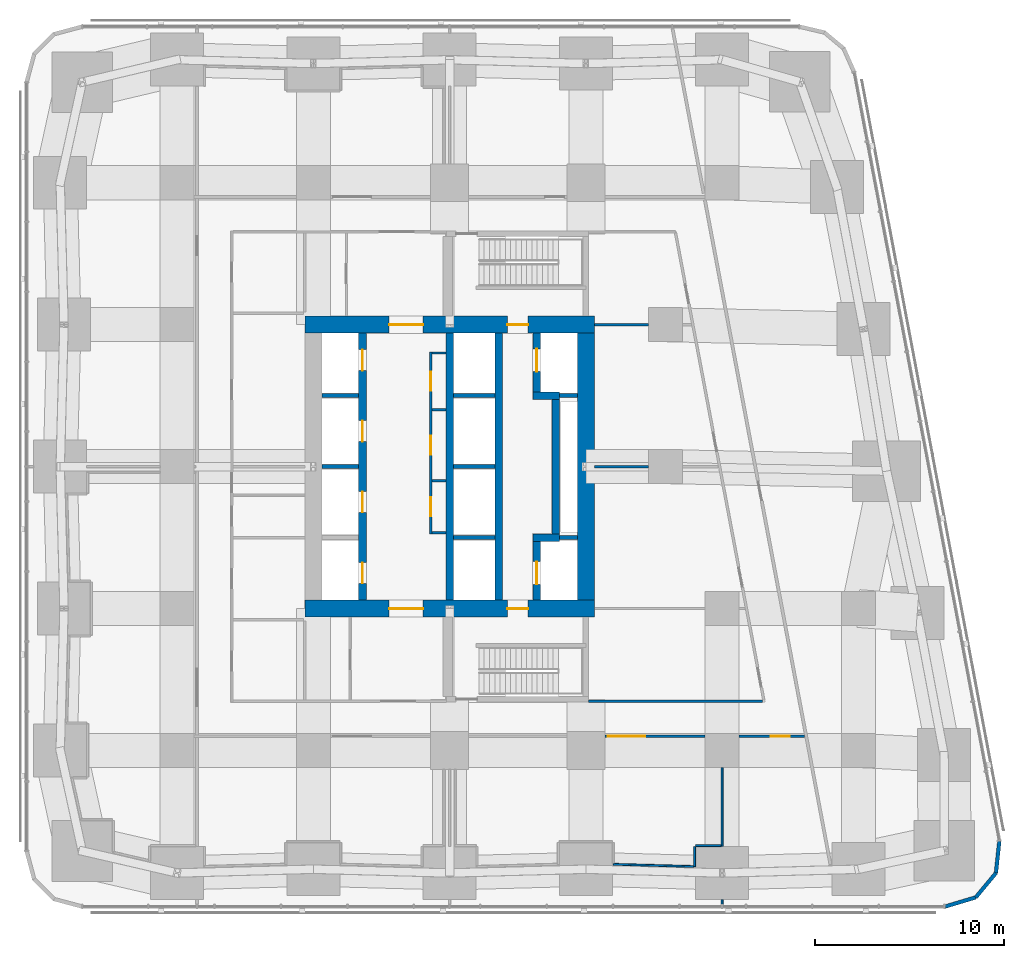
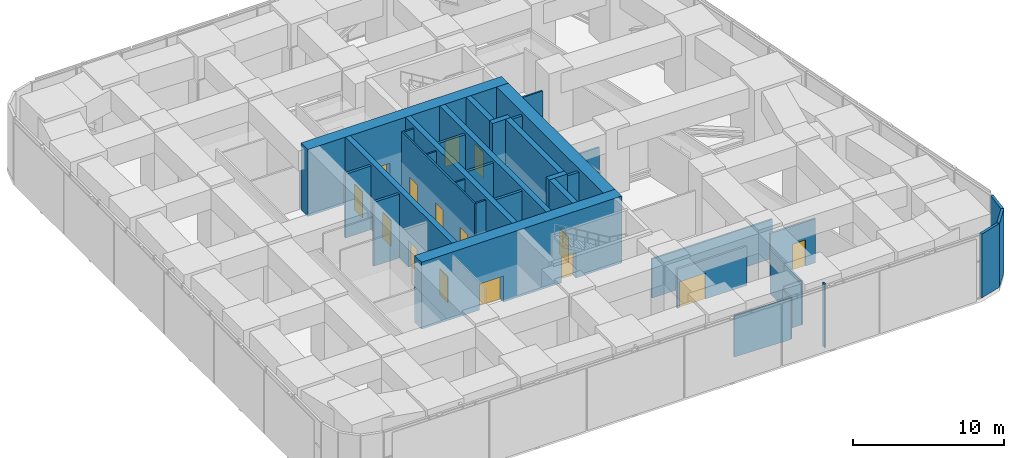
# One storey, part 15 of 20: 36 walls, 15 doors, 15 openings.
"""IFC4 building model written with IfcOpenShell, lengths in metres."""

from ifc_helpers import new_model, si_unit, direction, frame, frame_2d, origin, place, context, subcontext, project, spatial, rectangle, extrude, material, layer, layer_set, type_object, element, fill, save


model = new_model("IFC4")

# Units and contexts
model_context = context("Model", 3, precision=1e-05, world=origin(), true_north=direction((0.0, 1.0)))
body_context = subcontext(model_context, "Body", "Model", "MODEL_VIEW")
ifc_project = project(units=[si_unit("LENGTHUNIT", "METRE"), si_unit("AREAUNIT", "SQUARE_METRE"), si_unit("VOLUMEUNIT", "CUBIC_METRE"), si_unit("PLANEANGLEUNIT", "RADIAN"), si_unit("MASSUNIT", "GRAM", prefix="KILO")], contexts=[model_context])

# Site, building, storey
site_placement = place(None, origin())
site = spatial("IfcSite", under=ifc_project, at=site_placement, CompositionType="ELEMENT")
building_placement = place(site_placement, origin())
building = spatial("IfcBuilding", under=site, at=building_placement, Name="Sheger Commons Tower", CompositionType="ELEMENT")
storey_placement = place(building_placement, frame((0.0, 0.0, 72.5)))
storey = spatial("IfcBuildingStorey", under=building, at=storey_placement, Name="L18", CompositionType="ELEMENT", Elevation=72.5)

# Wall, openings, doors
ifc_material_1 = material(Name="Concrete C50/60", Category="concrete")
ifc_layer_1 = layer(ifc_material_1, 0.39990234375)
ifc_layer_set_1 = layer_set([ifc_layer_1], Name="CORE INNER WALL 400")
wall_type_1 = type_object("IfcWallType", Name="CORE INNER WALL 400", PredefinedType="SHEAR", material=ifc_layer_set_1)
wall_1_placement = place(storey_placement, frame((17.0, 15.449951171875, 0.0), z_axis=(0.0, 0.0, 1.0), x_axis=(0.0, 1.0, 0.0)))
wall_1 = element("IfcWall", 1, at=wall_1_placement, inside=storey, type_object=wall_type_1, Name="Core inner wall A L18", PredefinedType="SHEAR", context=body_context, shape_type="SweptSolid", body=[
    extrude(rectangle(XDim=14.10009765625, YDim=0.39990234375, at=frame_2d((7.050048828125, 0.0))), origin(), (0.0, 0.0, 1.0), 5.39990234375),
])
opening_1_placement = place(wall_1_placement, frame((0.875, 0.0, 0.0)))
opening_1 = element("IfcOpeningElement", 2, at=opening_1_placement, cuts=wall_1, Name="Opening LD", PredefinedType="OPENING", context=body_context, shape_type="SweptSolid", body=[
    extrude(rectangle(XDim=1.10009765625, YDim=2.10009765625, at=frame_2d((0.550048828125, 1.050048828125))), frame((0.0, 0.2099609375, 0.0), z_axis=(0.0, -1.0, 0.0), x_axis=(1.0, 0.0, 0.0)), (0.0, 0.0, 1.0), 0.419921875),
])
opening_2_placement = place(wall_1_placement, frame((4.625, 0.0, 0.0)))
opening_2 = element("IfcOpeningElement", 3, at=opening_2_placement, cuts=wall_1, Name="Opening LD", PredefinedType="OPENING", context=body_context, shape_type="SweptSolid", body=[
    extrude(rectangle(XDim=1.10009765625, YDim=2.10009765625, at=frame_2d((0.550048828125, 1.050048828125))), frame((0.0, 0.2099609375, 0.0), z_axis=(0.0, -1.0, 0.0), x_axis=(1.0, 0.0, 0.0)), (0.0, 0.0, 1.0), 0.419921875),
])
opening_3_placement = place(wall_1_placement, frame((8.375, 0.0, 0.0)))
opening_3 = element("IfcOpeningElement", 4, at=opening_3_placement, cuts=wall_1, Name="Opening LD", PredefinedType="OPENING", context=body_context, shape_type="SweptSolid", body=[
    extrude(rectangle(XDim=1.10009765625, YDim=2.10009765625, at=frame_2d((0.550048828125, 1.050048828125))), frame((0.0, 0.2099609375, 0.0), z_axis=(0.0, -1.0, 0.0), x_axis=(1.0, 0.0, 0.0)), (0.0, 0.0, 1.0), 0.419921875),
])
opening_4_placement = place(wall_1_placement, frame((12.125, 0.0, 0.0)))
opening_4 = element("IfcOpeningElement", 5, at=opening_4_placement, cuts=wall_1, Name="Opening LD", PredefinedType="OPENING", context=body_context, shape_type="SweptSolid", body=[
    extrude(rectangle(XDim=1.10009765625, YDim=2.10009765625, at=frame_2d((0.550048828125, 1.050048828125))), frame((0.0, 0.2099609375, 0.0), z_axis=(0.0, -1.0, 0.0), x_axis=(1.0, 0.0, 0.0)), (0.0, 0.0, 1.0), 0.419921875),
])
ifc_material_2 = material(Name="Steel door set, fire rated", Category="steel")
door_type_1 = type_object("IfcDoorType", Name="LIFT LANDING DOOR 1100x2100", OperationType="DOUBLE_DOOR_SLIDING", PredefinedType="DOOR", material=ifc_material_2)
door_1_placement = place(opening_1_placement, origin())
door_1 = element("IfcDoor", 6, at=door_1_placement, inside=storey, type_object=door_type_1, Name="Lift LA1 landing door", OperationType="DOUBLE_DOOR_SLIDING", OverallHeight=2.10009765625, OverallWidth=1.10009765625, PredefinedType="DOOR", context=body_context, shape_type="SweptSolid", body=[
    extrude(rectangle(XDim=1.10009765625, YDim=2.10009765625, at=frame_2d((0.550048828125, 1.050048828125))), frame((0.0, 0.02490234375, 0.0), z_axis=(0.0, -1.0, 0.0), x_axis=(1.0, 0.0, 0.0)), (0.0, 0.0, 1.0), 0.050048828125),
])
fill(opening_1, door_1)
door_2_placement = place(opening_2_placement, origin())
door_2 = element("IfcDoor", 7, at=door_2_placement, inside=storey, type_object=door_type_1, Name="Lift LA2 landing door", OperationType="DOUBLE_DOOR_SLIDING", OverallHeight=2.10009765625, OverallWidth=1.10009765625, PredefinedType="DOOR", context=body_context, shape_type="SweptSolid", body=[
    extrude(rectangle(XDim=1.10009765625, YDim=2.10009765625, at=frame_2d((0.550048828125, 1.050048828125))), frame((0.0, 0.02490234375, 0.0), z_axis=(0.0, -1.0, 0.0), x_axis=(1.0, 0.0, 0.0)), (0.0, 0.0, 1.0), 0.050048828125),
])
fill(opening_2, door_2)
door_3_placement = place(opening_3_placement, origin())
door_3 = element("IfcDoor", 8, at=door_3_placement, inside=storey, type_object=door_type_1, Name="Lift LA3 landing door", OperationType="DOUBLE_DOOR_SLIDING", OverallHeight=2.10009765625, OverallWidth=1.10009765625, PredefinedType="DOOR", context=body_context, shape_type="SweptSolid", body=[
    extrude(rectangle(XDim=1.10009765625, YDim=2.10009765625, at=frame_2d((0.550048828125, 1.050048828125))), frame((0.0, 0.02490234375, 0.0), z_axis=(0.0, -1.0, 0.0), x_axis=(1.0, 0.0, 0.0)), (0.0, 0.0, 1.0), 0.050048828125),
])
fill(opening_3, door_3)
door_4_placement = place(opening_4_placement, origin())
door_4 = element("IfcDoor", 9, at=door_4_placement, inside=storey, type_object=door_type_1, Name="Lift LA4 landing door", OperationType="DOUBLE_DOOR_SLIDING", OverallHeight=2.10009765625, OverallWidth=1.10009765625, PredefinedType="DOOR", context=body_context, shape_type="SweptSolid", body=[
    extrude(rectangle(XDim=1.10009765625, YDim=2.10009765625, at=frame_2d((0.550048828125, 1.050048828125))), frame((0.0, 0.02490234375, 0.0), z_axis=(0.0, -1.0, 0.0), x_axis=(1.0, 0.0, 0.0)), (0.0, 0.0, 1.0), 0.050048828125),
])
fill(opening_4, door_4)

# Walls
for number, where, z_axis, x_axis, name in (
    (10, (21.60009765625, 15.449951171875, 0.0), (0.0, 0.0, 1.0), (0.0, 1.0, 0.0), "Core inner wall L L18"),
    (11, (24.199951171875, 15.449951171875, 0.0), (0.0, 0.0, 1.0), (0.0, 1.0, 0.0), "Core inner wall B L18"),
):
    element("IfcWall", number, at=place(storey_placement, frame(where, z_axis=z_axis, x_axis=x_axis)), inside=storey, type_object=wall_type_1, Name=name, PredefinedType="SHEAR", context=body_context, shape_type="SweptSolid", body=[
        extrude(rectangle(XDim=14.10009765625, YDim=0.39990234375, at=frame_2d((7.050048828125, 0.0))), origin(), (0.0, 0.0, 1.0), 5.39990234375),
    ])

# Wall, opening, door
wall_2_placement = place(storey_placement, frame((26.199951171875, 15.449951171875, 0.0), z_axis=(0.0, 0.0, 1.0), x_axis=(0.0, 1.0, 0.0)))
wall_2 = element("IfcWall", 12, at=wall_2_placement, inside=storey, type_object=wall_type_1, Name="Core inner wall F L18", PredefinedType="SHEAR", context=body_context, shape_type="SweptSolid", body=[
    extrude(rectangle(XDim=3.10009765625, YDim=0.39990234375, at=frame_2d((1.550048828125, 0.0))), origin(), (0.0, 0.0, 1.0), 5.39990234375),
])
opening_5_placement = place(wall_2_placement, frame((0.824951171875, 0.0, 0.0)))
opening_5 = element("IfcOpeningElement", 13, at=opening_5_placement, cuts=wall_2, Name="Opening LD2", PredefinedType="OPENING", context=body_context, shape_type="SweptSolid", body=[
    extrude(rectangle(XDim=1.199951171875, YDim=2.10009765625, at=frame_2d((0.60009765625, 1.050048828125))), frame((0.0, 0.2099609375, 0.0), z_axis=(0.0, -1.0, 0.0), x_axis=(1.0, 0.0, 0.0)), (0.0, 0.0, 1.0), 0.419921875),
])
ifc_material_3 = material(Name="Steel door set, fire rated", Category="steel")
door_type_2 = type_object("IfcDoorType", Name="FIREFIGHTING LIFT LANDING DOOR 1200x2100", OperationType="DOUBLE_DOOR_SLIDING", PredefinedType="DOOR", material=ifc_material_3)
door_5_placement = place(opening_5_placement, origin())
door_5 = element("IfcDoor", 14, at=door_5_placement, inside=storey, type_object=door_type_2, Name="Lift FL1 landing door", OperationType="DOUBLE_DOOR_SLIDING", OverallHeight=2.10009765625, OverallWidth=1.199951171875, PredefinedType="DOOR", context=body_context, shape_type="SweptSolid", body=[
    extrude(rectangle(XDim=1.199951171875, YDim=2.10009765625, at=frame_2d((0.60009765625, 1.050048828125))), frame((0.0, 0.02490234375, 0.0), z_axis=(0.0, -1.0, 0.0), x_axis=(1.0, 0.0, 0.0)), (0.0, 0.0, 1.0), 0.050048828125),
])
fill(opening_5, door_5)

# Walls
wall_3_placement = place(storey_placement, frame((26.0, 18.75, 0.0), z_axis=(0.0, 0.0, 1.0), x_axis=(1.0, 0.0, 0.0)))
element("IfcWall", 15, at=wall_3_placement, inside=storey, type_object=wall_type_1, Name="Core inner wall F south return L18", PredefinedType="SHEAR", context=body_context, shape_type="SweptSolid", body=[
    extrude(rectangle(XDim=1.39990234375, YDim=0.39990234375, at=frame_2d((0.699951171875, 0.0))), origin(), (0.0, 0.0, 1.0), 5.39990234375),
])
wall_4_placement = place(storey_placement, frame((27.199951171875, 18.949951171875, 0.0), z_axis=(0.0, 0.0, 1.0), x_axis=(0.0, 1.0, 0.0)))
element("IfcWall", 16, at=wall_4_placement, inside=storey, type_object=wall_type_1, Name="Core inner wall F middle L18", PredefinedType="SHEAR", context=body_context, shape_type="SweptSolid", body=[
    extrude(rectangle(XDim=7.10009765625, YDim=0.39990234375, at=frame_2d((3.550048828125, 0.0))), origin(), (0.0, 0.0, 1.0), 5.39990234375),
])
wall_5_placement = place(storey_placement, frame((26.0, 26.25, 0.0), z_axis=(0.0, 0.0, 1.0), x_axis=(1.0, 0.0, 0.0)))
element("IfcWall", 17, at=wall_5_placement, inside=storey, type_object=wall_type_1, Name="Core inner wall F north return L18", PredefinedType="SHEAR", context=body_context, shape_type="SweptSolid", body=[
    extrude(rectangle(XDim=1.39990234375, YDim=0.39990234375, at=frame_2d((0.699951171875, 0.0))), origin(), (0.0, 0.0, 1.0), 5.39990234375),
])

# Wall, opening, door
wall_6_placement = place(storey_placement, frame((26.199951171875, 26.449951171875, 0.0), z_axis=(0.0, 0.0, 1.0), x_axis=(0.0, 1.0, 0.0)))
wall_6 = element("IfcWall", 18, at=wall_6_placement, inside=storey, type_object=wall_type_1, Name="Core inner wall F north L18", PredefinedType="SHEAR", context=body_context, shape_type="SweptSolid", body=[
    extrude(rectangle(XDim=3.10009765625, YDim=0.39990234375, at=frame_2d((1.550048828125, 0.0))), origin(), (0.0, 0.0, 1.0), 5.39990234375),
])
opening_6_placement = place(wall_6_placement, frame((1.074951171875, 0.0, 0.0)))
opening_6 = element("IfcOpeningElement", 19, at=opening_6_placement, cuts=wall_6, Name="Opening LD2", PredefinedType="OPENING", context=body_context, shape_type="SweptSolid", body=[
    extrude(rectangle(XDim=1.199951171875, YDim=2.10009765625, at=frame_2d((0.60009765625, 1.050048828125))), frame((0.0, 0.2099609375, 0.0), z_axis=(0.0, -1.0, 0.0), x_axis=(1.0, 0.0, 0.0)), (0.0, 0.0, 1.0), 0.419921875),
])
door_6_placement = place(opening_6_placement, origin())
door_6 = element("IfcDoor", 20, at=door_6_placement, inside=storey, type_object=door_type_2, Name="Lift FL2 landing door", OperationType="DOUBLE_DOOR_SLIDING", OverallHeight=2.10009765625, OverallWidth=1.199951171875, PredefinedType="DOOR", context=body_context, shape_type="SweptSolid", body=[
    extrude(rectangle(XDim=1.199951171875, YDim=2.10009765625, at=frame_2d((0.60009765625, 1.050048828125))), frame((0.0, 0.02490234375, 0.0), z_axis=(0.0, -1.0, 0.0), x_axis=(1.0, 0.0, 0.0)), (0.0, 0.0, 1.0), 0.050048828125),
])
fill(opening_6, door_6)

# Wall, openings, doors
ifc_material_4 = material(Name="Concrete C50/60", Category="concrete")
ifc_layer_2 = layer(ifc_material_4, 0.89990234375)
ifc_layer_set_2 = layer_set([ifc_layer_2], Name="CORE WALL 900")
wall_type_2 = type_object("IfcWallType", Name="CORE WALL 900", PredefinedType="SHEAR", material=ifc_layer_set_2)
wall_7_placement = place(storey_placement, frame((13.949951171875, 15.0, 0.0), z_axis=(0.0, 0.0, 1.0), x_axis=(1.0, 0.0, 0.0)))
wall_7 = element("IfcWall", 21, at=wall_7_placement, inside=storey, type_object=wall_type_2, Name="Core wall south L18", PredefinedType="SHEAR", context=body_context, shape_type="SweptSolid", body=[
    extrude(rectangle(XDim=15.300048828125, YDim=0.89990234375, at=frame_2d((7.64990234375, 0.0))), origin(), (0.0, 0.0, 1.0), 5.39990234375),
])
opening_7_placement = place(wall_7_placement, frame((4.449951171875, 0.0, 0.0)))
opening_7 = element("IfcOpeningElement", 22, at=opening_7_placement, cuts=wall_7, Name="Opening D6", PredefinedType="OPENING", context=body_context, shape_type="SweptSolid", body=[
    extrude(rectangle(XDim=1.800048828125, YDim=2.10009765625, at=frame_2d((0.89990234375, 1.050048828125))), frame((0.0, 0.4599609375, 0.0), z_axis=(0.0, -1.0, 0.0), x_axis=(1.0, 0.0, 0.0)), (0.0, 0.0, 1.0), 0.919921875),
])
opening_8_placement = place(wall_7_placement, frame((10.699951171875, 0.0, 0.0)))
opening_8 = element("IfcOpeningElement", 23, at=opening_8_placement, cuts=wall_7, Name="Opening D5", PredefinedType="OPENING", context=body_context, shape_type="SweptSolid", body=[
    extrude(rectangle(XDim=1.10009765625, YDim=2.10009765625, at=frame_2d((0.550048828125, 1.050048828125))), frame((0.0, 0.4599609375, 0.0), z_axis=(0.0, -1.0, 0.0), x_axis=(1.0, 0.0, 0.0)), (0.0, 0.0, 1.0), 0.919921875),
])
ifc_material_5 = material(Name="Steel door set, fire rated", Category="steel")
door_type_3 = type_object("IfcDoorType", Name="LOBBY DOUBLE DOOR 1800x2100", OperationType="DOUBLE_DOOR_SINGLE_SWING", PredefinedType="DOOR", material=ifc_material_5)
door_7_placement = place(opening_7_placement, origin())
door_7 = element("IfcDoor", 24, at=door_7_placement, inside=storey, type_object=door_type_3, Name="Lift lobby door", OperationType="DOUBLE_DOOR_SINGLE_SWING", OverallHeight=2.10009765625, OverallWidth=1.800048828125, PredefinedType="DOOR", context=body_context, shape_type="SweptSolid", body=[
    extrude(rectangle(XDim=1.800048828125, YDim=2.10009765625, at=frame_2d((0.89990234375, 1.050048828125))), frame((0.0, 0.02490234375, 0.0), z_axis=(0.0, -1.0, 0.0), x_axis=(1.0, 0.0, 0.0)), (0.0, 0.0, 1.0), 0.050048828125),
])
fill(opening_7, door_7)
ifc_material_6 = material(Name="Steel door set, fire rated", Category="steel")
door_type_4 = type_object("IfcDoorType", Name="STAIR DOOR 1100x2100", OperationType="NOTDEFINED", PredefinedType="DOOR", material=ifc_material_6)
door_8_placement = place(opening_8_placement, origin())
door_8 = element("IfcDoor", 25, at=door_8_placement, inside=storey, type_object=door_type_4, Name="Fire-fighting lobby door", OperationType="SINGLE_SWING_RIGHT", OverallHeight=2.10009765625, OverallWidth=1.10009765625, PredefinedType="DOOR", context=body_context, shape_type="SweptSolid", body=[
    extrude(rectangle(XDim=1.10009765625, YDim=2.10009765625, at=frame_2d((0.550048828125, 1.050048828125))), frame((0.0, 0.02490234375, 0.0), z_axis=(0.0, -1.0, 0.0), x_axis=(1.0, 0.0, 0.0)), (0.0, 0.0, 1.0), 0.050048828125),
])
fill(opening_8, door_8)

wall_8_placement = place(storey_placement, frame((13.949951171875, 30.0, 0.0), z_axis=(0.0, 0.0, 1.0), x_axis=(1.0, 0.0, 0.0)))
wall_8 = element("IfcWall", 26, at=wall_8_placement, inside=storey, type_object=wall_type_2, Name="Core wall north L18", PredefinedType="SHEAR", context=body_context, shape_type="SweptSolid", body=[
    extrude(rectangle(XDim=15.300048828125, YDim=0.89990234375, at=frame_2d((7.64990234375, 0.0))), origin(), (0.0, 0.0, 1.0), 5.39990234375),
])
opening_9_placement = place(wall_8_placement, frame((4.449951171875, 0.0, 0.0)))
opening_9 = element("IfcOpeningElement", 27, at=opening_9_placement, cuts=wall_8, Name="Opening D6", PredefinedType="OPENING", context=body_context, shape_type="SweptSolid", body=[
    extrude(rectangle(XDim=1.800048828125, YDim=2.10009765625, at=frame_2d((0.89990234375, 1.050048828125))), frame((0.0, 0.4599609375, 0.0), z_axis=(0.0, -1.0, 0.0), x_axis=(1.0, 0.0, 0.0)), (0.0, 0.0, 1.0), 0.919921875),
])
opening_10_placement = place(wall_8_placement, frame((10.699951171875, 0.0, 0.0)))
opening_10 = element("IfcOpeningElement", 28, at=opening_10_placement, cuts=wall_8, Name="Opening D5", PredefinedType="OPENING", context=body_context, shape_type="SweptSolid", body=[
    extrude(rectangle(XDim=1.10009765625, YDim=2.10009765625, at=frame_2d((0.550048828125, 1.050048828125))), frame((0.0, 0.4599609375, 0.0), z_axis=(0.0, -1.0, 0.0), x_axis=(1.0, 0.0, 0.0)), (0.0, 0.0, 1.0), 0.919921875),
])
door_9_placement = place(opening_9_placement, origin())
door_9 = element("IfcDoor", 29, at=door_9_placement, inside=storey, type_object=door_type_3, Name="Lift lobby door", OperationType="DOUBLE_DOOR_SINGLE_SWING", OverallHeight=2.10009765625, OverallWidth=1.800048828125, PredefinedType="DOOR", context=body_context, shape_type="SweptSolid", body=[
    extrude(rectangle(XDim=1.800048828125, YDim=2.10009765625, at=frame_2d((0.89990234375, 1.050048828125))), frame((0.0, 0.02490234375, 0.0), z_axis=(0.0, -1.0, 0.0), x_axis=(1.0, 0.0, 0.0)), (0.0, 0.0, 1.0), 0.050048828125),
])
fill(opening_9, door_9)
door_10_placement = place(opening_10_placement, origin())
door_10 = element("IfcDoor", 30, at=door_10_placement, inside=storey, type_object=door_type_4, Name="Fire-fighting lobby door", OperationType="SINGLE_SWING_RIGHT", OverallHeight=2.10009765625, OverallWidth=1.10009765625, PredefinedType="DOOR", context=body_context, shape_type="SweptSolid", body=[
    extrude(rectangle(XDim=1.10009765625, YDim=2.10009765625, at=frame_2d((0.550048828125, 1.050048828125))), frame((0.0, 0.02490234375, 0.0), z_axis=(0.0, -1.0, 0.0), x_axis=(1.0, 0.0, 0.0)), (0.0, 0.0, 1.0), 0.050048828125),
])
fill(opening_10, door_10)

# Wall
wall_9_placement = place(storey_placement, frame((28.800048828125, 15.449951171875, 0.0), z_axis=(0.0, 0.0, 1.0), x_axis=(0.0, 1.0, 0.0)))
element("IfcWall", 31, at=wall_9_placement, inside=storey, type_object=wall_type_2, Name="Core wall east L18", PredefinedType="SHEAR", context=body_context, shape_type="SweptSolid", body=[
    extrude(rectangle(XDim=14.10009765625, YDim=0.89990234375, at=frame_2d((7.050048828125, 0.0))), origin(), (0.0, 0.0, 1.0), 5.39990234375),
])

# Wall, opening, door
ifc_material_7 = material(Name="Hollow concrete block masonry, skimmed both sides", Category="masonry")
ifc_layer_3 = layer(ifc_material_7, 0.14990234375)
ifc_layer_set_3 = layer_set([ifc_layer_3], Name="CORRIDOR WALL 150")
wall_type_3 = type_object("IfcWallType", Name="CORRIDOR WALL 150", PredefinedType="SOLIDWALL", material=ifc_layer_set_3)
wall_10_placement = place(storey_placement, frame((40.35498046875, 8.25, 0.0), z_axis=(0.0, 0.0, 1.0), x_axis=(-1.0, 0.0, 0.0)))
wall_10 = element("IfcWall", 32, at=wall_10_placement, inside=storey, type_object=wall_type_3, Name="Corridor wall L18", PredefinedType="SOLIDWALL", context=body_context, shape_type="SweptSolid", body=[
    extrude(rectangle(XDim=3.4541015625, YDim=0.14990234375, at=frame_2d((1.72705078125, 0.0))), origin(), (0.0, 0.0, 1.0), 3.550048828125),
])
opening_11_placement = place(wall_10_placement, frame((0.77294921875, 0.0, 0.0)))
opening_11 = element("IfcOpeningElement", 33, at=opening_11_placement, cuts=wall_10, Name="Opening D4", PredefinedType="OPENING", context=body_context, shape_type="SweptSolid", body=[
    extrude(rectangle(XDim=1.0, YDim=2.10009765625, at=frame_2d((0.5, 1.050048828125))), frame((0.0, 0.0849609375, 0.0), z_axis=(0.0, -1.0, 0.0), x_axis=(1.0, 0.0, 0.0)), (0.0, 0.0, 1.0), 0.169921875),
])
ifc_material_8 = material(Name="Steel door set, fire rated", Category="steel")
door_type_5 = type_object("IfcDoorType", Name="SERVICE DOOR 1000x2100", OperationType="NOTDEFINED", PredefinedType="DOOR", material=ifc_material_8)
door_11_placement = place(opening_11_placement, origin())
door_11 = element("IfcDoor", 34, at=door_11_placement, inside=storey, type_object=door_type_5, Name="Refuge area door", OperationType="SINGLE_SWING_LEFT", OverallHeight=2.10009765625, OverallWidth=1.0, PredefinedType="DOOR", context=body_context, shape_type="SweptSolid", body=[
    extrude(rectangle(XDim=1.0, YDim=2.10009765625, at=frame_2d((0.5, 1.050048828125))), frame((0.0, 0.02490234375, 0.0), z_axis=(0.0, -1.0, 0.0), x_axis=(1.0, 0.0, 0.0)), (0.0, 0.0, 1.0), 0.050048828125),
])
fill(opening_11, door_11)

wall_11_placement = place(storey_placement, frame((35.09912109375, 8.25, 0.0), z_axis=(0.0, 0.0, 1.0), x_axis=(-1.0, 0.0, 0.0)))
wall_11 = element("IfcWall", 35, at=wall_11_placement, inside=storey, type_object=wall_type_3, Name="Corridor wall L18", PredefinedType="SOLIDWALL", context=body_context, shape_type="SweptSolid", body=[
    extrude(rectangle(XDim=5.298095703125, YDim=0.14990234375, at=frame_2d((2.64892578125, 0.0))), origin(), (0.0, 0.0, 1.0), 3.14990234375),
])
opening_12_placement = place(wall_11_placement, frame((3.14794921875, 0.0, 0.0)))
opening_12 = element("IfcOpeningElement", 36, at=opening_12_placement, cuts=wall_11, Name="Opening D8", PredefinedType="OPENING", context=body_context, shape_type="SweptSolid", body=[
    extrude(rectangle(XDim=2.0, YDim=2.10009765625, at=frame_2d((1.0, 1.050048828125))), frame((0.0, 0.0849609375, 0.0), z_axis=(0.0, -1.0, 0.0), x_axis=(1.0, 0.0, 0.0)), (0.0, 0.0, 1.0), 0.169921875),
])
ifc_material_9 = material(Name="Steel door set, fire rated", Category="steel")
door_type_6 = type_object("IfcDoorType", Name="COMMUNITY HALL DOUBLE DOOR 2000x2100", OperationType="DOUBLE_DOOR_SINGLE_SWING", PredefinedType="DOOR", material=ifc_material_9)
door_12_placement = place(opening_12_placement, origin())
door_12 = element("IfcDoor", 37, at=door_12_placement, inside=storey, type_object=door_type_6, Name="Childcare centre door", OperationType="DOUBLE_DOOR_SINGLE_SWING", OverallHeight=2.10009765625, OverallWidth=2.0, PredefinedType="DOOR", context=body_context, shape_type="SweptSolid", body=[
    extrude(rectangle(XDim=2.0, YDim=2.10009765625, at=frame_2d((1.0, 1.050048828125))), frame((0.0, 0.02490234375, 0.0), z_axis=(0.0, -1.0, 0.0), x_axis=(1.0, 0.0, 0.0)), (0.0, 0.0, 1.0), 0.050048828125),
])
fill(opening_12, door_12)

# Walls
ifc_material_10 = material(Name="Rendered concrete block masonry, dark grey", Category="masonry")
ifc_layer_4 = layer(ifc_material_10, 0.199951171875)
ifc_layer_set_4 = layer_set([ifc_layer_4], Name="FACADE WALL 200")
wall_type_4 = type_object("IfcWallType", Name="FACADE WALL 200", PredefinedType="SOLIDWALL", material=ifc_layer_set_4)
wall_12_placement = place(storey_placement, frame((47.791015625, -0.75, 0.0), z_axis=(0.0, 0.0, 1.0), x_axis=(0.957455232626, 0.288581838509, 0.0)))
element("IfcWall", 38, at=wall_12_placement, inside=storey, type_object=wall_type_4, Name="Facade wall L18", PredefinedType="SOLIDWALL", context=body_context, shape_type="SweptSolid", body=[
    extrude(rectangle(XDim=1.687744140625, YDim=0.199951171875, at=frame_2d((0.84375, 0.0))), origin(), (0.0, 0.0, 1.0), 5.14990234375),
])
wall_13_placement = place(storey_placement, frame((49.406982421875, -0.262939453125, 0.0), z_axis=(0.0, 0.0, 1.0), x_axis=(0.638042593423, 0.770001070764, 0.0)))
element("IfcWall", 39, at=wall_13_placement, inside=storey, type_object=wall_type_4, Name="Facade wall L18", PredefinedType="SOLIDWALL", context=body_context, shape_type="SweptSolid", body=[
    extrude(rectangle(XDim=1.672607421875, YDim=0.199951171875, at=frame_2d((0.83642578125, 0.0))), origin(), (0.0, 0.0, 1.0), 5.14990234375),
])
wall_14_placement = place(storey_placement, frame((50.47412109375, 1.02490234375, 0.0), z_axis=(0.0, 0.0, 1.0), x_axis=(0.106047815515, 0.994361031429, 0.0)))
element("IfcWall", 40, at=wall_14_placement, inside=storey, type_object=wall_type_4, Name="Facade wall L18", PredefinedType="SOLIDWALL", context=body_context, shape_type="SweptSolid", body=[
    extrude(rectangle(XDim=1.6875, YDim=0.199951171875, at=frame_2d((0.84375, 0.0))), origin(), (0.0, 0.0, 1.0), 5.14990234375),
])
ifc_material_11 = material(Name="Gypsum board on steel studs", Category="steel")
ifc_layer_5 = layer(ifc_material_11, 0.10009765625)
ifc_layer_set_5 = layer_set([ifc_layer_5], Name="PARTITION 100")
wall_type_5 = type_object("IfcWallType", Name="PARTITION 100", PredefinedType="PARTITIONING", material=ifc_layer_set_5)
wall_15_placement = place(storey_placement, frame((36.0, -0.636962890625, 0.0), z_axis=(0.0, 0.0, 1.0), x_axis=(0.0, 1.0, 0.0)))
element("IfcWall", 41, at=wall_15_placement, inside=storey, type_object=wall_type_5, Name="Partition L18", PredefinedType="PARTITIONING", context=body_context, shape_type="SweptSolid", body=[
    extrude(rectangle(XDim=0.260986328125, YDim=0.10009765625, at=frame_2d((0.13037109375, 0.0))), origin(), (0.0, 0.0, 1.0), 5.14990234375),
])
wall_16_placement = place(storey_placement, frame((36.0, 2.426025390625, 0.0), z_axis=(0.0, 0.0, 1.0), x_axis=(0.0, 1.0, 0.0)))
element("IfcWall", 42, at=wall_16_placement, inside=storey, type_object=wall_type_5, Name="Partition L18", PredefinedType="PARTITIONING", context=body_context, shape_type="SweptSolid", body=[
    extrude(rectangle(XDim=4.173095703125, YDim=0.10009765625, at=frame_2d((2.08642578125, 0.0))), origin(), (0.0, 0.0, 1.0), 3.550048828125),
])
wall_17_placement = place(storey_placement, frame((35.949951171875, 2.47509765625, 0.0), z_axis=(0.0, 0.0, 1.0), x_axis=(-1.0, 0.0, 0.0)))
element("IfcWall", 43, at=wall_17_placement, inside=storey, type_object=wall_type_5, Name="Partition L18", PredefinedType="PARTITIONING", context=body_context, shape_type="SweptSolid", body=[
    extrude(rectangle(XDim=1.349853515625, YDim=0.10009765625, at=frame_2d((0.6748046875, 0.0))), origin(), (0.0, 0.0, 1.0), 3.550048828125),
])
wall_18_placement = place(storey_placement, frame((34.550048828125, 2.425048828125, 0.0), z_axis=(0.0, 0.0, 1.0), x_axis=(0.0, -1.0, 0.0)))
element("IfcWall", 44, at=wall_18_placement, inside=storey, type_object=wall_type_5, Name="Partition L18", PredefinedType="PARTITIONING", context=body_context, shape_type="SweptSolid", body=[
    extrude(rectangle(XDim=1.06005859375, YDim=0.10009765625, at=frame_2d((0.530029296875, 0.0))), origin(), (0.0, 0.0, 1.0), 3.35009765625),
])
wall_19_placement = place(storey_placement, frame((34.4990234375, 1.365966796875, 0.0), z_axis=(0.0, 0.0, 1.0), x_axis=(-0.999607123995, 0.028028515083, 0.0)))
element("IfcWall", 45, at=wall_19_placement, inside=storey, type_object=wall_type_5, Name="Partition L18", PredefinedType="PARTITIONING", context=body_context, shape_type="SweptSolid", body=[
    extrude(rectangle(XDim=4.250732421875, YDim=0.10009765625, at=frame_2d((2.12548828125, 0.0))), origin(), (0.0, 0.0, 1.0), 3.35009765625),
])
ifc_material_12 = material(Name="Gypsum board on steel studs, two layers each side, fire rated", Category="steel")
ifc_layer_6 = layer(ifc_material_12, 0.125)
ifc_layer_set_6 = layer_set([ifc_layer_6], Name="SERVICE WALL 125")
wall_type_6 = type_object("IfcWallType", Name="SERVICE WALL 125", PredefinedType="PARTITIONING", material=ifc_layer_set_6)
wall_20_placement = place(storey_placement, frame((28.949951171875, 10.10009765625, 0.0), z_axis=(0.0, 0.0, 1.0), x_axis=(1.0, 0.0, 0.0)))
element("IfcWall", 46, at=wall_20_placement, inside=storey, type_object=wall_type_6, Name="Service room wall L18", PredefinedType="PARTITIONING", context=body_context, shape_type="SweptSolid", body=[
    extrude(rectangle(XDim=9.18798828125, YDim=0.125, at=frame_2d((4.593994140625, 0.0))), origin(), (0.0, 0.0, 1.0), 3.14990234375),
])
for number, where, z_axis, x_axis, name in (
    (47, (29.25, 22.5, 0.0), (0.0, 0.0, 1.0), (1.0, 0.0, 0.0), "Service room wall L18"),
    (48, (29.25, 30.0, 0.0), (0.0, 0.0, 1.0), (1.0, 0.0, 0.0), "Service room wall L18"),
):
    element("IfcWall", number, at=place(storey_placement, frame(where, z_axis=z_axis, x_axis=x_axis)), inside=storey, type_object=wall_type_6, Name=name, PredefinedType="PARTITIONING", context=body_context, shape_type="SweptSolid", body=[
        extrude(rectangle(XDim=2.84912109375, YDim=0.125, at=frame_2d((1.424560546875, 0.0))), origin(), (0.0, 0.0, 1.0), 3.550048828125),
    ])

# Wall, openings, doors
wall_21_placement = place(storey_placement, frame((20.60009765625, 18.93798828125, 0.0), z_axis=(0.0, 0.0, 1.0), x_axis=(0.0, 1.0, 0.0)))
wall_21 = element("IfcWall", 49, at=wall_21_placement, inside=storey, type_object=wall_type_6, Name="Service room wall L18", PredefinedType="PARTITIONING", context=body_context, shape_type="SweptSolid", body=[
    extrude(rectangle(XDim=9.6240234375, YDim=0.125, at=frame_2d((4.81201171875, 0.0))), origin(), (0.0, 0.0, 1.0), 5.14990234375),
])
opening_13_placement = place(wall_21_placement, frame((0.93701171875, 0.0, 0.0)))
opening_13 = element("IfcOpeningElement", 50, at=opening_13_placement, cuts=wall_21, Name="Opening D4", PredefinedType="OPENING", context=body_context, shape_type="SweptSolid", body=[
    extrude(rectangle(XDim=1.0, YDim=2.10009765625, at=frame_2d((0.5, 1.050048828125))), frame((0.0, 0.072509765625, 0.0), z_axis=(0.0, -1.0, 0.0), x_axis=(1.0, 0.0, 0.0)), (0.0, 0.0, 1.0), 0.14501953125),
])
opening_14_placement = place(wall_21_placement, frame((4.18701171875, 0.0, 0.0)))
opening_14 = element("IfcOpeningElement", 51, at=opening_14_placement, cuts=wall_21, Name="Opening D4", PredefinedType="OPENING", context=body_context, shape_type="SweptSolid", body=[
    extrude(rectangle(XDim=1.0, YDim=2.10009765625, at=frame_2d((0.5, 1.050048828125))), frame((0.0, 0.072509765625, 0.0), z_axis=(0.0, -1.0, 0.0), x_axis=(1.0, 0.0, 0.0)), (0.0, 0.0, 1.0), 0.14501953125),
])
opening_15_placement = place(wall_21_placement, frame((7.56201171875, 0.0, 0.0)))
opening_15 = element("IfcOpeningElement", 52, at=opening_15_placement, cuts=wall_21, Name="Opening D4", PredefinedType="OPENING", context=body_context, shape_type="SweptSolid", body=[
    extrude(rectangle(XDim=1.0, YDim=2.10009765625, at=frame_2d((0.5, 1.050048828125))), frame((0.0, 0.072509765625, 0.0), z_axis=(0.0, -1.0, 0.0), x_axis=(1.0, 0.0, 0.0)), (0.0, 0.0, 1.0), 0.14501953125),
])
door_13_placement = place(opening_13_placement, origin())
door_13 = element("IfcDoor", 53, at=door_13_placement, inside=storey, type_object=door_type_5, Name="Linen cupboard door", OperationType="SINGLE_SWING_LEFT", OverallHeight=2.10009765625, OverallWidth=1.0, PredefinedType="DOOR", context=body_context, shape_type="SweptSolid", body=[
    extrude(rectangle(XDim=1.0, YDim=2.10009765625, at=frame_2d((0.5, 1.050048828125))), frame((0.0, 0.02490234375, 0.0), z_axis=(0.0, -1.0, 0.0), x_axis=(1.0, 0.0, 0.0)), (0.0, 0.0, 1.0), 0.050048828125),
])
fill(opening_13, door_13)
door_14_placement = place(opening_14_placement, origin())
door_14 = element("IfcDoor", 54, at=door_14_placement, inside=storey, type_object=door_type_5, Name="Housekeeping cupboard door", OperationType="SINGLE_SWING_LEFT", OverallHeight=2.10009765625, OverallWidth=1.0, PredefinedType="DOOR", context=body_context, shape_type="SweptSolid", body=[
    extrude(rectangle(XDim=1.0, YDim=2.10009765625, at=frame_2d((0.5, 1.050048828125))), frame((0.0, 0.02490234375, 0.0), z_axis=(0.0, -1.0, 0.0), x_axis=(1.0, 0.0, 0.0)), (0.0, 0.0, 1.0), 0.050048828125),
])
fill(opening_14, door_14)
door_15_placement = place(opening_15_placement, origin())
door_15 = element("IfcDoor", 55, at=door_15_placement, inside=storey, type_object=door_type_5, Name="Water meter cupboard door", OperationType="SINGLE_SWING_RIGHT", OverallHeight=2.10009765625, OverallWidth=1.0, PredefinedType="DOOR", context=body_context, shape_type="SweptSolid", body=[
    extrude(rectangle(XDim=1.0, YDim=2.10009765625, at=frame_2d((0.5, 1.050048828125))), frame((0.0, 0.02490234375, 0.0), z_axis=(0.0, -1.0, 0.0), x_axis=(1.0, 0.0, 0.0)), (0.0, 0.0, 1.0), 0.050048828125),
])
fill(opening_15, door_15)

# Walls
for number, where, z_axis, x_axis, name in (
    (56, (20.6630859375, 19.0, 0.0), (0.0, 0.0, 1.0), (1.0, 0.0, 0.0), "Service room wall L18"),
    (57, (20.6630859375, 28.5, 0.0), (0.0, 0.0, 1.0), (1.0, 0.0, 0.0), "Service room wall L18"),
    (58, (20.6630859375, 21.75, 0.0), (0.0, 0.0, 1.0), (1.0, 0.0, 0.0), "Service room wall L18"),
    (59, (20.6630859375, 25.5, 0.0), (0.0, 0.0, 1.0), (1.0, 0.0, 0.0), "Service room wall L18"),
):
    element("IfcWall", number, at=place(storey_placement, frame(where, z_axis=z_axis, x_axis=x_axis)), inside=storey, type_object=wall_type_6, Name=name, PredefinedType="PARTITIONING", context=body_context, shape_type="SweptSolid", body=[
        extrude(rectangle(XDim=0.73681640625, YDim=0.125, at=frame_2d((0.368408203125, 0.0))), origin(), (0.0, 0.0, 1.0), 5.14990234375),
    ])
ifc_material_13 = material(Name="Hollow concrete block masonry", Category="masonry")
ifc_layer_7 = layer(ifc_material_13, 0.199951171875)
ifc_layer_set_7 = layer_set([ifc_layer_7], Name="SHAFT WALL 200")
wall_type_7 = type_object("IfcWallType", Name="SHAFT WALL 200", PredefinedType="SOLIDWALL", material=ifc_layer_set_7)
wall_22_placement = place(storey_placement, frame((21.800048828125, 18.75, 0.0), z_axis=(0.0, 0.0, 1.0), x_axis=(1.0, 0.0, 0.0)))
element("IfcWall", 60, at=wall_22_placement, inside=storey, type_object=wall_type_7, Name="Lift shaft wall L18", PredefinedType="SOLIDWALL", context=body_context, shape_type="SweptSolid", body=[
    extrude(rectangle(XDim=2.199951171875, YDim=0.199951171875, at=frame_2d((1.10009765625, 0.0))), origin(), (0.0, 0.0, 1.0), 5.14990234375),
])
wall_23_placement = place(storey_placement, frame((14.85009765625, 22.5, 0.0), z_axis=(0.0, 0.0, 1.0), x_axis=(1.0, 0.0, 0.0)))
element("IfcWall", 61, at=wall_23_placement, inside=storey, type_object=wall_type_7, Name="Lift shaft wall L18", PredefinedType="SOLIDWALL", context=body_context, shape_type="SweptSolid", body=[
    extrude(rectangle(XDim=1.949951171875, YDim=0.199951171875, at=frame_2d((0.97509765625, 0.0))), origin(), (0.0, 0.0, 1.0), 5.14990234375),
])
wall_24_placement = place(storey_placement, frame((21.800048828125, 22.5, 0.0), z_axis=(0.0, 0.0, 1.0), x_axis=(1.0, 0.0, 0.0)))
element("IfcWall", 62, at=wall_24_placement, inside=storey, type_object=wall_type_7, Name="Lift shaft wall L18", PredefinedType="SOLIDWALL", context=body_context, shape_type="SweptSolid", body=[
    extrude(rectangle(XDim=2.199951171875, YDim=0.199951171875, at=frame_2d((1.10009765625, 0.0))), origin(), (0.0, 0.0, 1.0), 5.14990234375),
])
wall_25_placement = place(storey_placement, frame((14.85009765625, 26.25, 0.0), z_axis=(0.0, 0.0, 1.0), x_axis=(1.0, 0.0, 0.0)))
element("IfcWall", 63, at=wall_25_placement, inside=storey, type_object=wall_type_7, Name="Lift shaft wall L18", PredefinedType="SOLIDWALL", context=body_context, shape_type="SweptSolid", body=[
    extrude(rectangle(XDim=1.949951171875, YDim=0.199951171875, at=frame_2d((0.97509765625, 0.0))), origin(), (0.0, 0.0, 1.0), 5.14990234375),
])
wall_26_placement = place(storey_placement, frame((21.800048828125, 26.25, 0.0), z_axis=(0.0, 0.0, 1.0), x_axis=(1.0, 0.0, 0.0)))
element("IfcWall", 64, at=wall_26_placement, inside=storey, type_object=wall_type_7, Name="Lift shaft wall L18", PredefinedType="SOLIDWALL", context=body_context, shape_type="SweptSolid", body=[
    extrude(rectangle(XDim=2.199951171875, YDim=0.199951171875, at=frame_2d((1.10009765625, 0.0))), origin(), (0.0, 0.0, 1.0), 5.14990234375),
])
for number, where, z_axis, x_axis, name in (
    (65, (27.39990234375, 18.75, 0.0), (0.0, 0.0, 1.0), (1.0, 0.0, 0.0), "Lift shaft wall L18"),
    (66, (27.39990234375, 26.25, 0.0), (0.0, 0.0, 1.0), (1.0, 0.0, 0.0), "Lift shaft wall L18"),
):
    element("IfcWall", number, at=place(storey_placement, frame(where, z_axis=z_axis, x_axis=x_axis)), inside=storey, type_object=wall_type_7, Name=name, PredefinedType="SOLIDWALL", context=body_context, shape_type="SweptSolid", body=[
        extrude(rectangle(XDim=0.9501953125, YDim=0.199951171875, at=frame_2d((0.47509765625, 0.0))), origin(), (0.0, 0.0, 1.0), 5.14990234375),
    ])

save(model, "model.ifc")
